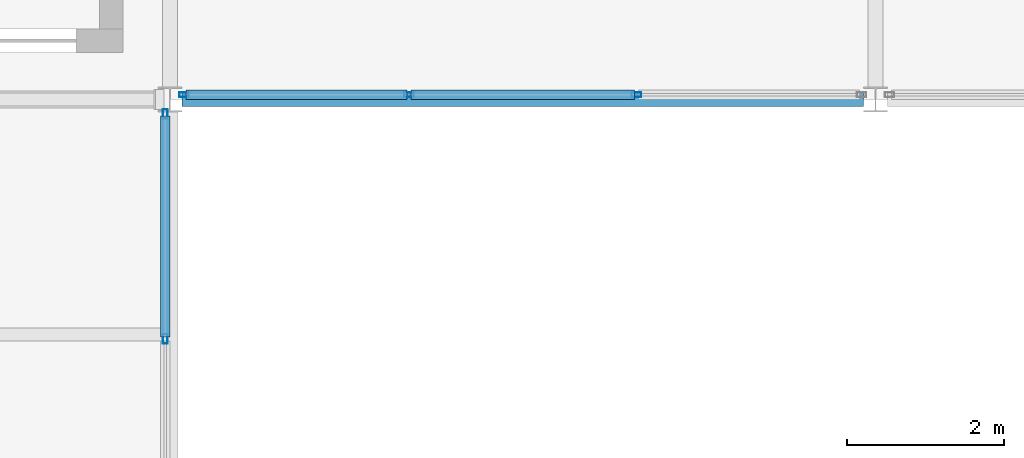
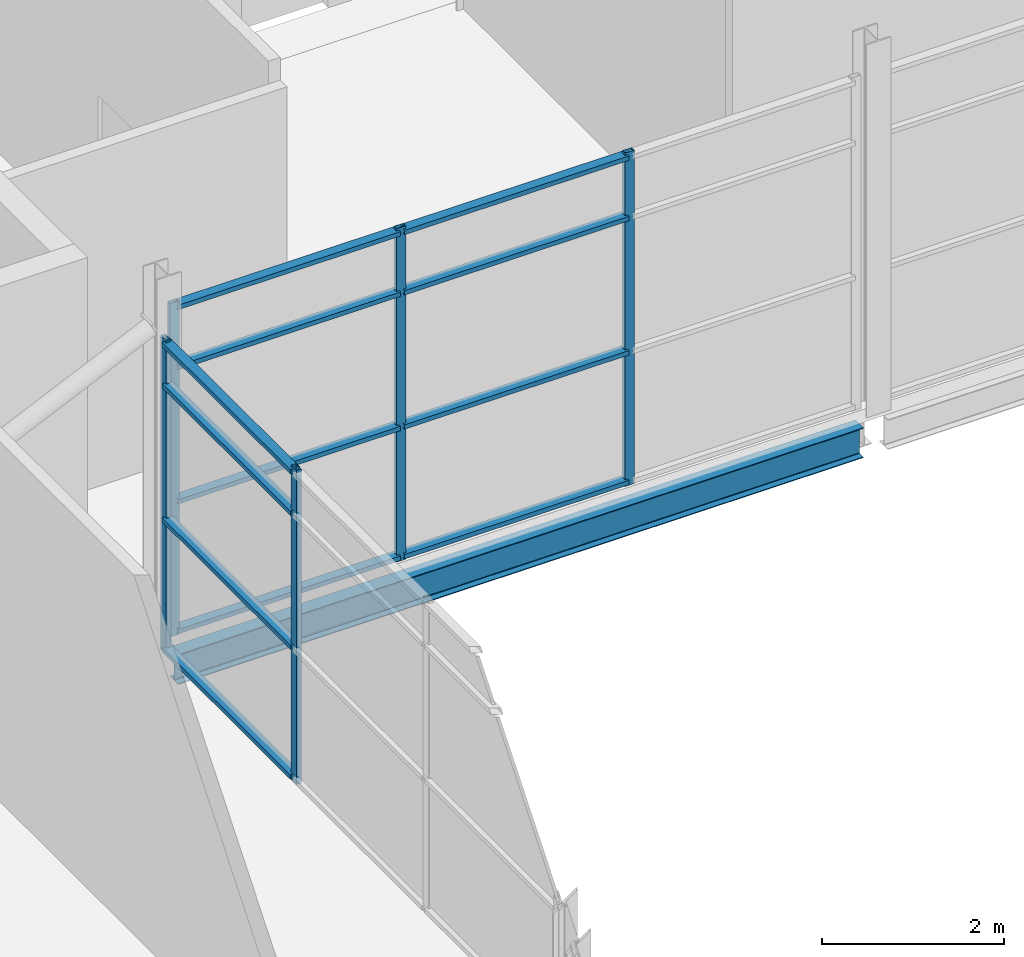
# One storey, part 22 of 61: 17 members, 1 beam, 2 elements without a shape of their own.
"""IFC4 building model written with IfcOpenShell, lengths in metres."""

from ifc_helpers import new_model, si_unit, direction, frame, origin, origin_2d, place, context, subcontext, project, spatial, hollow_rectangle, i_section, extrude, material, layer, layer_set, material_profile, profile_set, type_object, element, aggregate, save


model = new_model("IFC4")

# Units and contexts
model_context = context("Model", 3, precision=1e-05, world=origin(), true_north=direction((0.0, 1.0)))
body_context = subcontext(model_context, "Body", "Model", "MODEL_VIEW")
ifc_project = project(units=[si_unit("LENGTHUNIT", "METRE"), si_unit("AREAUNIT", "SQUARE_METRE"), si_unit("VOLUMEUNIT", "CUBIC_METRE"), si_unit("PLANEANGLEUNIT", "RADIAN"), si_unit("MASSUNIT", "GRAM", prefix="KILO")], contexts=[model_context])

# Site, building, storey
site_placement = place(None, origin())
site = spatial("IfcSite", under=ifc_project, at=site_placement, CompositionType="ELEMENT")
building_placement = place(site_placement, origin())
building = spatial("IfcBuilding", under=site, at=building_placement, Name="Shorebreak Coast Museum", CompositionType="ELEMENT")
storey_placement = place(building_placement, frame((0.0, 0.0, 26.0)))
storey = spatial("IfcBuildingStorey", under=building, at=storey_placement, Name="L04", CompositionType="ELEMENT", Elevation=26.0)

# Beam
ifc_material_1 = material(Name="Steel Grade 300", Category="steel")
ifc_material_profile_1 = material_profile(ifc_material_1, i_section(OverallWidth=0.177978515625, OverallDepth=0.402587890625, WebThickness=0.007568359375, FlangeThickness=0.010986328125, FilletRadius=0.011474609375, at=origin_2d()), Name="410UB53.7")
ifc_profile_set_1 = profile_set([ifc_material_profile_1], Name="Steel Grade 300")
beam_type = type_object("IfcBeamType", Name="Floor girder east-west 410UB53.7", PredefinedType="BEAM", material=ifc_profile_set_1)
beam_placement = place(storey_placement, frame((63.154541015625, 81.0, -0.376220703125), z_axis=(1.0, 0.0, 0.0), x_axis=(0.0, 1.0, 0.0)))
element("IfcBeam", 1, at=beam_placement, inside=storey, type_object=beam_type, Name="Floor girder east-west L04 8K", PredefinedType="BEAM", context=body_context, shape_type="SweptSolid", body=[
    extrude(i_section(OverallWidth=0.177978515625, OverallDepth=0.402587890625, WebThickness=0.007568359375, FlangeThickness=0.010986328125, FilletRadius=0.011474609375, at=origin_2d()), origin(), (0.0, 0.0, 1.0), 8.69091796875),
])

# Curtain wall, members
ifc_material_2 = material(Name="Aluminium", Category="aluminium")
ifc_layer = layer(ifc_material_2, 0.1201171875)
ifc_layer_set = layer_set([ifc_layer], Name="Aluminium")
curtain_wall_type = type_object("IfcCurtainWallType", Name="Atrium fire screen", PredefinedType="NOTDEFINED", material=ifc_layer_set)
curtain_wall_1_placement = place(storey_placement, origin())
curtain_wall_1 = element("IfcCurtainWall", 2, at=curtain_wall_1_placement, inside=storey, type_object=curtain_wall_type, Name="Atrium screen L04 N 54", PredefinedType="NOTDEFINED")
ifc_material_3 = material(Name="Aluminium", Category="aluminium")
ifc_material_profile_2 = material_profile(ifc_material_3, hollow_rectangle(XDim=0.06005859375, YDim=0.1201171875, WallThickness=0.00341796875, at=origin_2d()), Name="AL 120x60 RHS")
ifc_profile_set_2 = profile_set([ifc_material_profile_2], Name="Aluminium")
member_type_1 = type_object("IfcMemberType", Name="Screen mullion 50 x 120", PredefinedType="MULLION", material=ifc_profile_set_2)
member_1_placement = place(storey_placement, frame((63.178466796875, 81.06005859375, 0.0), z_axis=(0.0, 0.0, 1.0), x_axis=(0.0, 1.0, 0.0)))
member_1 = element("IfcMember", 3, at=member_1_placement, type_object=member_type_1, Name="CW4 mullion 1", PredefinedType="MULLION", context=body_context, shape_type="SweptSolid", body=[
    extrude(hollow_rectangle(XDim=0.06005859375, YDim=0.1201171875, WallThickness=0.00341796875, at=origin_2d()), origin(), (0.0, 0.0, 1.0), 4.469482421875),
])
member_2_placement = place(storey_placement, frame((66.05126953125, 81.06005859375, 0.0), z_axis=(0.0, 0.0, 1.0), x_axis=(0.0, 1.0, 0.0)))
member_2 = element("IfcMember", 4, at=member_2_placement, type_object=member_type_1, Name="CW4 mullion 2", PredefinedType="MULLION", context=body_context, shape_type="SweptSolid", body=[
    extrude(hollow_rectangle(XDim=0.06005859375, YDim=0.1201171875, WallThickness=0.00341796875, at=origin_2d()), origin(), (0.0, 0.0, 1.0), 4.469482421875),
])
member_3_placement = place(storey_placement, frame((68.94873046875, 81.06005859375, 0.0), z_axis=(0.0, 0.0, 1.0), x_axis=(0.0, 1.0, 0.0)))
member_3 = element("IfcMember", 5, at=member_3_placement, type_object=member_type_1, Name="CW4 mullion 3", PredefinedType="MULLION", context=body_context, shape_type="SweptSolid", body=[
    extrude(hollow_rectangle(XDim=0.06005859375, YDim=0.1201171875, WallThickness=0.00341796875, at=origin_2d()), origin(), (0.0, 0.0, 1.0), 4.469482421875),
])

curtain_wall_2_placement = place(storey_placement, origin())
curtain_wall_2 = element("IfcCurtainWall", 6, at=curtain_wall_2_placement, inside=storey, type_object=curtain_wall_type, Name="Atrium screen L04 W 60", PredefinedType="NOTDEFINED")
member_4_placement = place(storey_placement, frame((62.93994140625, 77.947509765625, 0.0), z_axis=(0.0, 0.0, 1.0), x_axis=(-1.0, 0.0, 0.0)))
member_4 = element("IfcMember", 7, at=member_4_placement, type_object=member_type_1, Name="CW4 mullion 3", PredefinedType="MULLION", context=body_context, shape_type="SweptSolid", body=[
    extrude(hollow_rectangle(XDim=0.06005859375, YDim=0.1201171875, WallThickness=0.00341796875, at=origin_2d()), origin(), (0.0, 0.0, 1.0), 4.212890625),
])
member_5_placement = place(storey_placement, frame((62.93994140625, 80.817626953125, 0.0), z_axis=(0.0, 0.0, 1.0), x_axis=(-1.0, 0.0, 0.0)))
member_5 = element("IfcMember", 8, at=member_5_placement, type_object=member_type_1, Name="CW4 mullion 4", PredefinedType="MULLION", context=body_context, shape_type="SweptSolid", body=[
    extrude(hollow_rectangle(XDim=0.06005859375, YDim=0.1201171875, WallThickness=0.00341796875, at=origin_2d()), origin(), (0.0, 0.0, 1.0), 4.212890625),
])

# Member
ifc_material_4 = material(Name="Aluminium", Category="aluminium")
ifc_material_profile_3 = material_profile(ifc_material_4, hollow_rectangle(XDim=0.1201171875, YDim=0.06005859375, WallThickness=0.00341796875, at=origin_2d()), Name="AL 60x120 RHS")
ifc_profile_set_3 = profile_set([ifc_material_profile_3], Name="Aluminium")
member_type_2 = type_object("IfcMemberType", Name="Screen transom 120 x 50", PredefinedType="USERDEFINED", material=ifc_profile_set_3)
member_6_placement = place(storey_placement, frame((63.20361328125, 81.06005859375, 0.06005859375), z_axis=(1.0, 0.0, 0.0), x_axis=(0.0, 1.0, 0.0)))
member_6 = element("IfcMember", 9, at=member_6_placement, type_object=member_type_2, Name="CW4 transom 1.1", ObjectType="TRANSOM", PredefinedType="USERDEFINED", context=body_context, shape_type="SweptSolid", body=[
    extrude(hollow_rectangle(XDim=0.1201171875, YDim=0.06005859375, WallThickness=0.00341796875, at=origin_2d()), origin(), (0.0, 0.0, 1.0), 2.822509765625),
])

member_7_placement = place(storey_placement, frame((63.20361328125, 81.06005859375, 1.800048828125), z_axis=(1.0, 0.0, 0.0), x_axis=(0.0, 1.0, 0.0)))
member_7 = element("IfcMember", 10, at=member_7_placement, type_object=member_type_2, Name="CW4 transom 1.2", ObjectType="TRANSOM", PredefinedType="USERDEFINED", context=body_context, shape_type="SweptSolid", body=[
    extrude(hollow_rectangle(XDim=0.1201171875, YDim=0.06005859375, WallThickness=0.00341796875, at=origin_2d()), origin(), (0.0, 0.0, 1.0), 2.822509765625),
])

member_8_placement = place(storey_placement, frame((63.20361328125, 81.06005859375, 3.60009765625), z_axis=(1.0, 0.0, 0.0), x_axis=(0.0, 1.0, 0.0)))
member_8 = element("IfcMember", 11, at=member_8_placement, type_object=member_type_2, Name="CW4 transom 1.3", ObjectType="TRANSOM", PredefinedType="USERDEFINED", context=body_context, shape_type="SweptSolid", body=[
    extrude(hollow_rectangle(XDim=0.1201171875, YDim=0.06005859375, WallThickness=0.00341796875, at=origin_2d()), origin(), (0.0, 0.0, 1.0), 2.822509765625),
])

member_9_placement = place(storey_placement, frame((63.20361328125, 81.06005859375, 4.409423828125), z_axis=(1.0, 0.0, 0.0), x_axis=(0.0, 1.0, 0.0)))
member_9 = element("IfcMember", 12, at=member_9_placement, type_object=member_type_2, Name="CW4 transom 1.4", ObjectType="TRANSOM", PredefinedType="USERDEFINED", context=body_context, shape_type="SweptSolid", body=[
    extrude(hollow_rectangle(XDim=0.1201171875, YDim=0.06005859375, WallThickness=0.00341796875, at=origin_2d()), origin(), (0.0, 0.0, 1.0), 2.822509765625),
])

member_10_placement = place(storey_placement, frame((66.076171875, 81.06005859375, 0.06005859375), z_axis=(1.0, 0.0, 0.0), x_axis=(0.0, 1.0, 0.0)))
member_10 = element("IfcMember", 13, at=member_10_placement, type_object=member_type_2, Name="CW4 transom 2.1", ObjectType="TRANSOM", PredefinedType="USERDEFINED", context=body_context, shape_type="SweptSolid", body=[
    extrude(hollow_rectangle(XDim=0.1201171875, YDim=0.06005859375, WallThickness=0.00341796875, at=origin_2d()), origin(), (0.0, 0.0, 1.0), 2.84765625),
])

member_11_placement = place(storey_placement, frame((66.076171875, 81.06005859375, 1.800048828125), z_axis=(1.0, 0.0, 0.0), x_axis=(0.0, 1.0, 0.0)))
member_11 = element("IfcMember", 14, at=member_11_placement, type_object=member_type_2, Name="CW4 transom 2.2", ObjectType="TRANSOM", PredefinedType="USERDEFINED", context=body_context, shape_type="SweptSolid", body=[
    extrude(hollow_rectangle(XDim=0.1201171875, YDim=0.06005859375, WallThickness=0.00341796875, at=origin_2d()), origin(), (0.0, 0.0, 1.0), 2.84765625),
])

member_12_placement = place(storey_placement, frame((66.076171875, 81.06005859375, 3.60009765625), z_axis=(1.0, 0.0, 0.0), x_axis=(0.0, 1.0, 0.0)))
member_12 = element("IfcMember", 15, at=member_12_placement, type_object=member_type_2, Name="CW4 transom 2.3", ObjectType="TRANSOM", PredefinedType="USERDEFINED", context=body_context, shape_type="SweptSolid", body=[
    extrude(hollow_rectangle(XDim=0.1201171875, YDim=0.06005859375, WallThickness=0.00341796875, at=origin_2d()), origin(), (0.0, 0.0, 1.0), 2.84765625),
])

member_13_placement = place(storey_placement, frame((66.076171875, 81.06005859375, 4.409423828125), z_axis=(1.0, 0.0, 0.0), x_axis=(0.0, 1.0, 0.0)))
member_13 = element("IfcMember", 16, at=member_13_placement, type_object=member_type_2, Name="CW4 transom 2.4", ObjectType="TRANSOM", PredefinedType="USERDEFINED", context=body_context, shape_type="SweptSolid", body=[
    extrude(hollow_rectangle(XDim=0.1201171875, YDim=0.06005859375, WallThickness=0.00341796875, at=origin_2d()), origin(), (0.0, 0.0, 1.0), 2.84765625),
])

aggregate(curtain_wall_1, [member_1, member_2, member_3, member_6, member_7, member_8, member_9, member_10, member_11, member_12, member_13])

member_14_placement = place(storey_placement, frame((62.93994140625, 77.97265625, 0.06005859375), z_axis=(0.0, 1.0, 0.0), x_axis=(-1.0, 0.0, 0.0)))
member_14 = element("IfcMember", 17, at=member_14_placement, type_object=member_type_2, Name="CW4 transom 3.1", ObjectType="TRANSOM", PredefinedType="USERDEFINED", context=body_context, shape_type="SweptSolid", body=[
    extrude(hollow_rectangle(XDim=0.1201171875, YDim=0.06005859375, WallThickness=0.00341796875, at=origin_2d()), origin(), (0.0, 0.0, 1.0), 2.820068359375),
])

member_15_placement = place(storey_placement, frame((62.93994140625, 77.97265625, 1.800048828125), z_axis=(0.0, 1.0, 0.0), x_axis=(-1.0, 0.0, 0.0)))
member_15 = element("IfcMember", 18, at=member_15_placement, type_object=member_type_2, Name="CW4 transom 3.2", ObjectType="TRANSOM", PredefinedType="USERDEFINED", context=body_context, shape_type="SweptSolid", body=[
    extrude(hollow_rectangle(XDim=0.1201171875, YDim=0.06005859375, WallThickness=0.00341796875, at=origin_2d()), origin(), (0.0, 0.0, 1.0), 2.820068359375),
])

member_16_placement = place(storey_placement, frame((62.93994140625, 77.97265625, 3.60009765625), z_axis=(0.0, 1.0, 0.0), x_axis=(-1.0, 0.0, 0.0)))
member_16 = element("IfcMember", 19, at=member_16_placement, type_object=member_type_2, Name="CW4 transom 3.3", ObjectType="TRANSOM", PredefinedType="USERDEFINED", context=body_context, shape_type="SweptSolid", body=[
    extrude(hollow_rectangle(XDim=0.1201171875, YDim=0.06005859375, WallThickness=0.00341796875, at=origin_2d()), origin(), (0.0, 0.0, 1.0), 2.820068359375),
])

member_17_placement = place(storey_placement, frame((62.93994140625, 77.97265625, 4.153076171875), z_axis=(0.0, 1.0, 0.0), x_axis=(-1.0, 0.0, 0.0)))
member_17 = element("IfcMember", 20, at=member_17_placement, type_object=member_type_2, Name="CW4 transom 3.4", ObjectType="TRANSOM", PredefinedType="USERDEFINED", context=body_context, shape_type="SweptSolid", body=[
    extrude(hollow_rectangle(XDim=0.1201171875, YDim=0.06005859375, WallThickness=0.00341796875, at=origin_2d()), origin(), (0.0, 0.0, 1.0), 2.820068359375),
])

aggregate(curtain_wall_2, [member_4, member_5, member_14, member_15, member_16, member_17])

save(model, "model.ifc")
